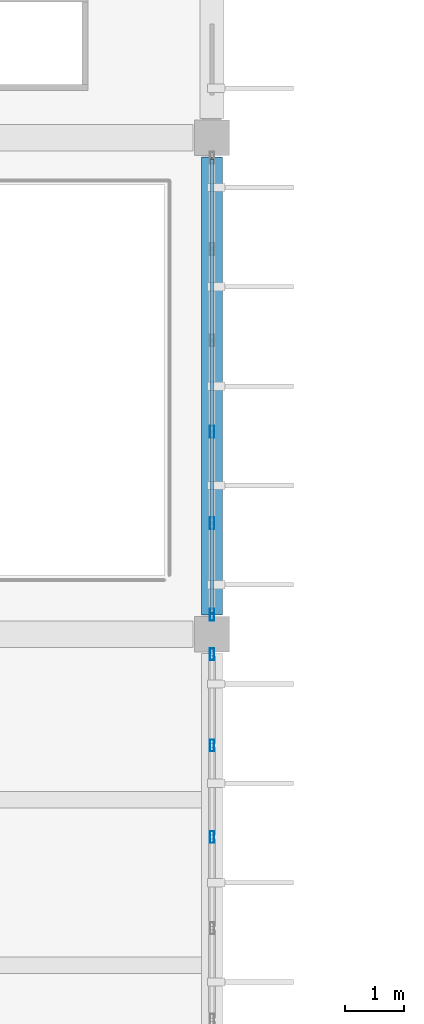
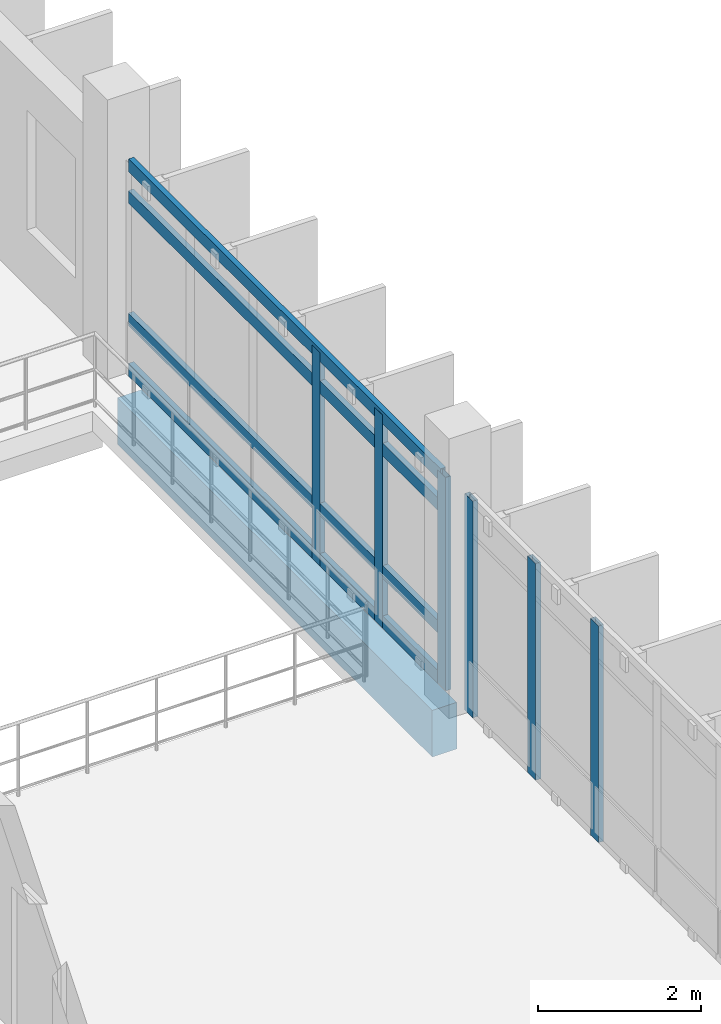
# One storey, part 49 of 130: 10 members, 1 beam, 2 elements without a shape of their own.
"""IFC4 building model written with IfcOpenShell, lengths in metres."""

from ifc_helpers import new_model, si_unit, direction, frame, origin, origin_2d, place, context, subcontext, project, spatial, rectangle, hollow_rectangle, extrude, material, layer, layer_set, material_profile, profile_set, type_object, element, aggregate, save


model = new_model("IFC4")

# Units and contexts
model_context = context("Model", 3, precision=1e-05, world=origin(), true_north=direction((0.0, 1.0)))
body_context = subcontext(model_context, "Body", "Model", "MODEL_VIEW")
ifc_project = project(units=[si_unit("LENGTHUNIT", "METRE"), si_unit("AREAUNIT", "SQUARE_METRE"), si_unit("VOLUMEUNIT", "CUBIC_METRE"), si_unit("PLANEANGLEUNIT", "RADIAN"), si_unit("MASSUNIT", "GRAM", prefix="KILO")], contexts=[model_context])

# Site, building, storey
site_placement = place(None, origin())
site = spatial("IfcSite", under=ifc_project, at=site_placement, CompositionType="ELEMENT")
building_placement = place(site_placement, origin())
building = spatial("IfcBuilding", under=site, at=building_placement, Name="Vireocrest Preparatory School", CompositionType="ELEMENT")
storey_placement = place(building_placement, frame((0.0, 0.0, 9.0)))
storey = spatial("IfcBuildingStorey", under=building, at=storey_placement, Name="L02", CompositionType="ELEMENT", Elevation=9.0)

# Curtain wall, members
ifc_material_1 = material(Name="Thermally broken aluminium EN AW-6063-T6", Category="aluminium")
ifc_layer = layer(ifc_material_1, 0.179931640625)
ifc_layer_set = layer_set([ifc_layer], Name="Thermally broken aluminium EN AW-6063-T6")
curtain_wall_type = type_object("IfcCurtainWallType", Name="Teaching Fin Curtain Wall 8400x4200", PredefinedType="USERDEFINED", material=ifc_layer_set)
curtain_wall_1_placement = place(storey_placement, origin())
curtain_wall_1 = element("IfcCurtainWall", 1, at=curtain_wall_1_placement, inside=storey, type_object=curtain_wall_type, Name="Curtain Wall CW03 CW_L02_CW03_1092_0525_090", ObjectType="CURTAIN WALL", PredefinedType="USERDEFINED")
ifc_material_profile_1 = material_profile(ifc_material_1, hollow_rectangle(XDim=0.074951171875, YDim=0.199951171875, WallThickness=0.0048828125, at=origin_2d()), Name="ALU 75x200x5")
ifc_profile_set_1 = profile_set([ifc_material_profile_1], Name="Thermally broken aluminium EN AW-6063-T6")
member_type_1 = type_object("IfcMemberType", Name="CW Mullion 75x200x5", PredefinedType="MULLION", material=ifc_profile_set_1)
member_1_placement = place(storey_placement, frame((109.199951171875, 57.173095703125, 0.0), z_axis=(0.0, 0.0, 1.0), x_axis=(1.0, 0.0, 0.0)))
member_1 = element("IfcMember", 2, at=member_1_placement, type_object=member_type_1, Name="CW Mullion ML3 CW_L02_CW03_1092_0525_090-4", PredefinedType="MULLION", context=body_context, shape_type="SweptSolid", body=[
    extrude(hollow_rectangle(XDim=0.074951171875, YDim=0.199951171875, WallThickness=0.0048828125, at=origin_2d()), origin(), (0.0, 0.0, 1.0), 3.2548828125),
])
member_2_placement = place(storey_placement, frame((109.199951171875, 58.718994140625, 0.0), z_axis=(0.0, 0.0, 1.0), x_axis=(1.0, 0.0, 0.0)))
member_2 = element("IfcMember", 3, at=member_2_placement, type_object=member_type_1, Name="CW Mullion ML3 CW_L02_CW03_1092_0525_090-5", PredefinedType="MULLION", context=body_context, shape_type="SweptSolid", body=[
    extrude(hollow_rectangle(XDim=0.074951171875, YDim=0.199951171875, WallThickness=0.0048828125, at=origin_2d()), origin(), (0.0, 0.0, 1.0), 3.2548828125),
])
member_3_placement = place(storey_placement, frame((109.199951171875, 60.264892578125, 0.0), z_axis=(0.0, 0.0, 1.0), x_axis=(1.0, 0.0, 0.0)))
member_3 = element("IfcMember", 4, at=member_3_placement, type_object=member_type_1, Name="CW Mullion ML3 CW_L02_CW03_1092_0525_090-6", PredefinedType="MULLION", context=body_context, shape_type="SweptSolid", body=[
    extrude(hollow_rectangle(XDim=0.074951171875, YDim=0.199951171875, WallThickness=0.0048828125, at=origin_2d()), origin(), (0.0, 0.0, 1.0), 3.2548828125),
])
aggregate(curtain_wall_1, [member_1, member_2, member_3])

curtain_wall_2_placement = place(storey_placement, origin())
curtain_wall_2 = element("IfcCurtainWall", 5, at=curtain_wall_2_placement, inside=storey, type_object=curtain_wall_type, Name="Curtain Wall CW03 CW_L02_CW03_1092_0609_090", ObjectType="CURTAIN WALL", PredefinedType="USERDEFINED")
member_4_placement = place(storey_placement, frame((109.199951171875, 60.93505859375, 0.0), z_axis=(0.0, 0.0, 1.0), x_axis=(1.0, 0.0, 0.0)))
member_4 = element("IfcMember", 6, at=member_4_placement, type_object=member_type_1, Name="CW Mullion ML3 CW_L02_CW03_1092_0609_090-1", PredefinedType="MULLION", context=body_context, shape_type="SweptSolid", body=[
    extrude(hollow_rectangle(XDim=0.074951171875, YDim=0.199951171875, WallThickness=0.0048828125, at=origin_2d()), origin(), (0.0, 0.0, 1.0), 3.205078125),
])
member_5_placement = place(storey_placement, frame((109.199951171875, 62.48095703125, 0.0), z_axis=(0.0, 0.0, 1.0), x_axis=(1.0, 0.0, 0.0)))
member_5 = element("IfcMember", 7, at=member_5_placement, type_object=member_type_1, Name="CW Mullion ML3 CW_L02_CW03_1092_0609_090-2", PredefinedType="MULLION", context=body_context, shape_type="SweptSolid", body=[
    extrude(hollow_rectangle(XDim=0.074951171875, YDim=0.199951171875, WallThickness=0.0048828125, at=origin_2d()), origin(), (0.0, 0.0, 1.0), 3.205078125),
])
member_6_placement = place(storey_placement, frame((109.199951171875, 64.027099609375, 0.0), z_axis=(0.0, 0.0, 1.0), x_axis=(1.0, 0.0, 0.0)))
member_6 = element("IfcMember", 8, at=member_6_placement, type_object=member_type_1, Name="CW Mullion ML3 CW_L02_CW03_1092_0609_090-3", PredefinedType="MULLION", context=body_context, shape_type="SweptSolid", body=[
    extrude(hollow_rectangle(XDim=0.074951171875, YDim=0.199951171875, WallThickness=0.0048828125, at=origin_2d()), origin(), (0.0, 0.0, 1.0), 3.205078125),
])
ifc_material_profile_2 = material_profile(ifc_material_1, hollow_rectangle(XDim=0.074951171875, YDim=0.18994140625, WallThickness=0.00390625, at=origin_2d()), Name="ALU 75x190x4")
ifc_profile_set_2 = profile_set([ifc_material_profile_2], Name="Thermally broken aluminium EN AW-6063-T6")
member_type_2 = type_object("IfcMemberType", Name="CW Transom 75x190x4", PredefinedType="USERDEFINED", material=ifc_profile_set_2)
member_7_placement = place(storey_placement, frame((109.199951171875, 60.9599609375, 0.094970703125), z_axis=(0.0, 1.0, 0.0), x_axis=(-1.0, 0.0, 0.0)))
member_7 = element("IfcMember", 9, at=member_7_placement, type_object=member_type_2, Name="CW Transom TR3 CW_L02_CW03_1092_0609_090-1", ObjectType="TRANSOM", PredefinedType="USERDEFINED", context=body_context, shape_type="SweptSolid", body=[
    extrude(hollow_rectangle(XDim=0.074951171875, YDim=0.18994140625, WallThickness=0.00390625, at=origin_2d()), origin(), (0.0, 0.0, 1.0), 7.679931640625),
])
member_8_placement = place(storey_placement, frame((109.199951171875, 60.9599609375, 0.85009765625), z_axis=(0.0, 1.0, 0.0), x_axis=(-1.0, 0.0, 0.0)))
member_8 = element("IfcMember", 10, at=member_8_placement, type_object=member_type_2, Name="CW Transom TR3 CW_L02_CW03_1092_0609_090-2", ObjectType="TRANSOM", PredefinedType="USERDEFINED", context=body_context, shape_type="SweptSolid", body=[
    extrude(hollow_rectangle(XDim=0.074951171875, YDim=0.18994140625, WallThickness=0.00390625, at=origin_2d()), origin(), (0.0, 0.0, 1.0), 7.679931640625),
])
member_9_placement = place(storey_placement, frame((109.199951171875, 60.9599609375, 2.68994140625), z_axis=(0.0, 1.0, 0.0), x_axis=(-1.0, 0.0, 0.0)))
member_9 = element("IfcMember", 11, at=member_9_placement, type_object=member_type_2, Name="CW Transom TR3 CW_L02_CW03_1092_0609_090-3", ObjectType="TRANSOM", PredefinedType="USERDEFINED", context=body_context, shape_type="SweptSolid", body=[
    extrude(hollow_rectangle(XDim=0.074951171875, YDim=0.18994140625, WallThickness=0.00390625, at=origin_2d()), origin(), (0.0, 0.0, 1.0), 7.679931640625),
])
member_10_placement = place(storey_placement, frame((109.199951171875, 60.9599609375, 3.1650390625), z_axis=(0.0, 1.0, 0.0), x_axis=(-1.0, 0.0, 0.0)))
member_10 = element("IfcMember", 12, at=member_10_placement, type_object=member_type_2, Name="CW Transom TR3 CW_L02_CW03_1092_0609_090-4", ObjectType="TRANSOM", PredefinedType="USERDEFINED", context=body_context, shape_type="SweptSolid", body=[
    extrude(hollow_rectangle(XDim=0.074951171875, YDim=0.18994140625, WallThickness=0.00390625, at=origin_2d()), origin(), (0.0, 0.0, 1.0), 7.679931640625),
])
aggregate(curtain_wall_2, [member_4, member_5, member_6, member_7, member_8, member_9, member_10])

# Beam
ifc_material_2 = material(Name="Concrete 40 MPa", Category="concrete")
ifc_material_profile_3 = material_profile(ifc_material_2, rectangle(XDim=0.35009765625, YDim=0.699951171875, at=origin_2d()), Name="RC 350x700")
ifc_profile_set_3 = profile_set([ifc_material_profile_3], Name="Concrete 40 MPa")
beam_type = type_object("IfcBeamType", Name="RC Laboratory Girder 350x700", PredefinedType="BEAM", material=ifc_profile_set_3)
beam_placement = place(storey_placement, frame((109.199951171875, 60.925048828125, -0.64990234375), z_axis=(0.0, 1.0, 0.0), x_axis=(-1.0, 0.0, 0.0)))
element("IfcBeam", 13, at=beam_placement, inside=storey, type_object=beam_type, Name="Primary Girder B06 L02-0863", PredefinedType="BEAM", context=body_context, shape_type="SweptSolid", body=[
    extrude(rectangle(XDim=0.35009765625, YDim=0.699951171875, at=origin_2d()), origin(), (0.0, 0.0, 1.0), 7.75),
])

save(model, "model.ifc")
